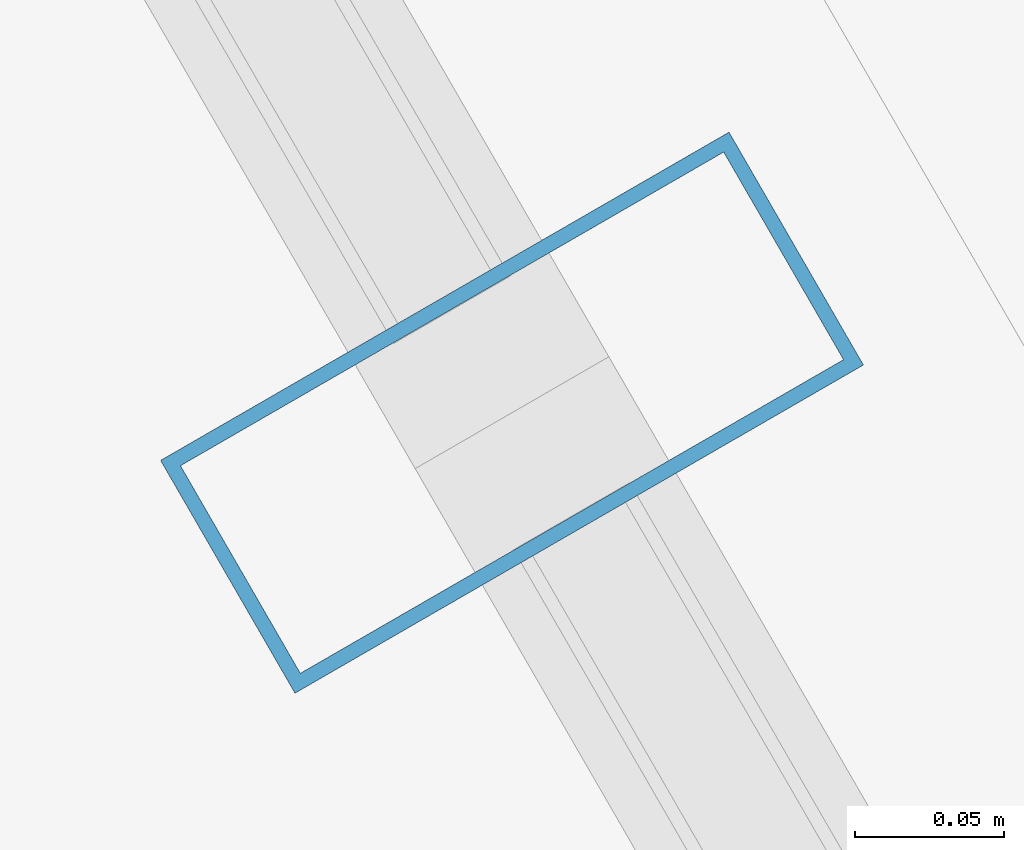
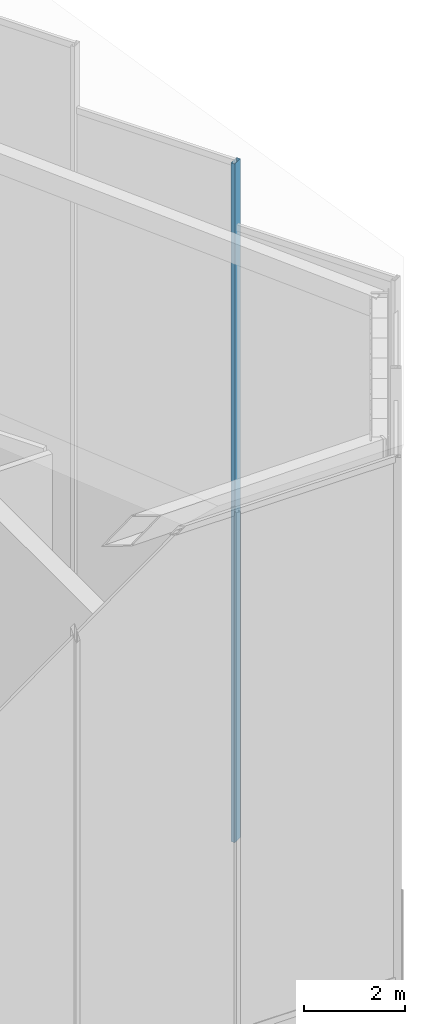
# One storey, part 24 of 36: 1 member, 1 element without a shape of its own.
"""IFC4 building model written with IfcOpenShell, lengths in metres."""

from ifc_helpers import new_model, si_unit, direction, frame, origin, origin_2d, place, context, subcontext, project, spatial, hollow_rectangle, extrude, material, layer, layer_set, material_profile, profile_set, type_object, element, aggregate, save


model = new_model("IFC4")

# Units and contexts
model_context = context("Model", 3, precision=1e-05, world=origin(), true_north=direction((0.0, 1.0)))
body_context = subcontext(model_context, "Body", "Model", "MODEL_VIEW")
ifc_project = project(units=[si_unit("LENGTHUNIT", "METRE"), si_unit("AREAUNIT", "SQUARE_METRE"), si_unit("VOLUMEUNIT", "CUBIC_METRE"), si_unit("PLANEANGLEUNIT", "RADIAN"), si_unit("MASSUNIT", "GRAM", prefix="KILO")], contexts=[model_context])

# Site, building, storey
site_placement = place(None, origin())
site = spatial("IfcSite", under=ifc_project, at=site_placement, CompositionType="ELEMENT")
building_placement = place(site_placement, origin())
building = spatial("IfcBuilding", under=site, at=building_placement, Name="Ndaravel Arena Tower", CompositionType="ELEMENT")
storey_placement = place(building_placement, frame((0.0, 0.0, 308.10009765625)))
storey = spatial("IfcBuildingStorey", under=building, at=storey_placement, Name="Roof Crown", CompositionType="ELEMENT", Elevation=308.10009765625)

# Curtain wall, member
ifc_material_1 = material(Name="Aluminium", Category="aluminium")
ifc_layer = layer(ifc_material_1, 0.179931640625)
ifc_layer_set = layer_set([ifc_layer], Name="Aluminium")
curtain_wall_type = type_object("IfcCurtainWallType", Name="CW-SYS-06", PredefinedType="NOTDEFINED", material=ifc_layer_set)
curtain_wall_placement = place(storey_placement, origin())
curtain_wall = element("IfcCurtainWall", 1, at=curtain_wall_placement, inside=storey, type_object=curtain_wall_type, Name="Roof Crown Sloped Crown Lantern Curtain Wall CW-CROWN-E03-S02", PredefinedType="NOTDEFINED")
ifc_material_2 = material(Name="Aluminium", Category="aluminium")
ifc_material_profile = material_profile(ifc_material_2, hollow_rectangle(XDim=0.090087890625, YDim=0.219970703125, WallThickness=0.0048828125, at=origin_2d()), Name="CW MULLION 90x220x5")
ifc_profile_set = profile_set([ifc_material_profile], Name="Aluminium")
member_type = type_object("IfcMemberType", Name="MEM-CW-MUL220", PredefinedType="MULLION", material=ifc_profile_set)
member_placement = place(storey_placement, frame((62.206298828125, 11.652587890625, 0.0), z_axis=(0.0, 0.0, 1.0), x_axis=(-0.500015114919, 0.866016677006, 0.0)))
member = element("IfcMember", 2, at=member_placement, type_object=member_type, Name="CW-CROWN-E03-S02 Mullion 00", PredefinedType="MULLION", context=body_context, shape_type="SweptSolid", body=[
    extrude(hollow_rectangle(XDim=0.090087890625, YDim=0.219970703125, WallThickness=0.0048828125, at=origin_2d()), origin(), (0.0, 0.0, 1.0), 16.37451171875),
])
aggregate(curtain_wall, [member])

save(model, "model.ifc")
